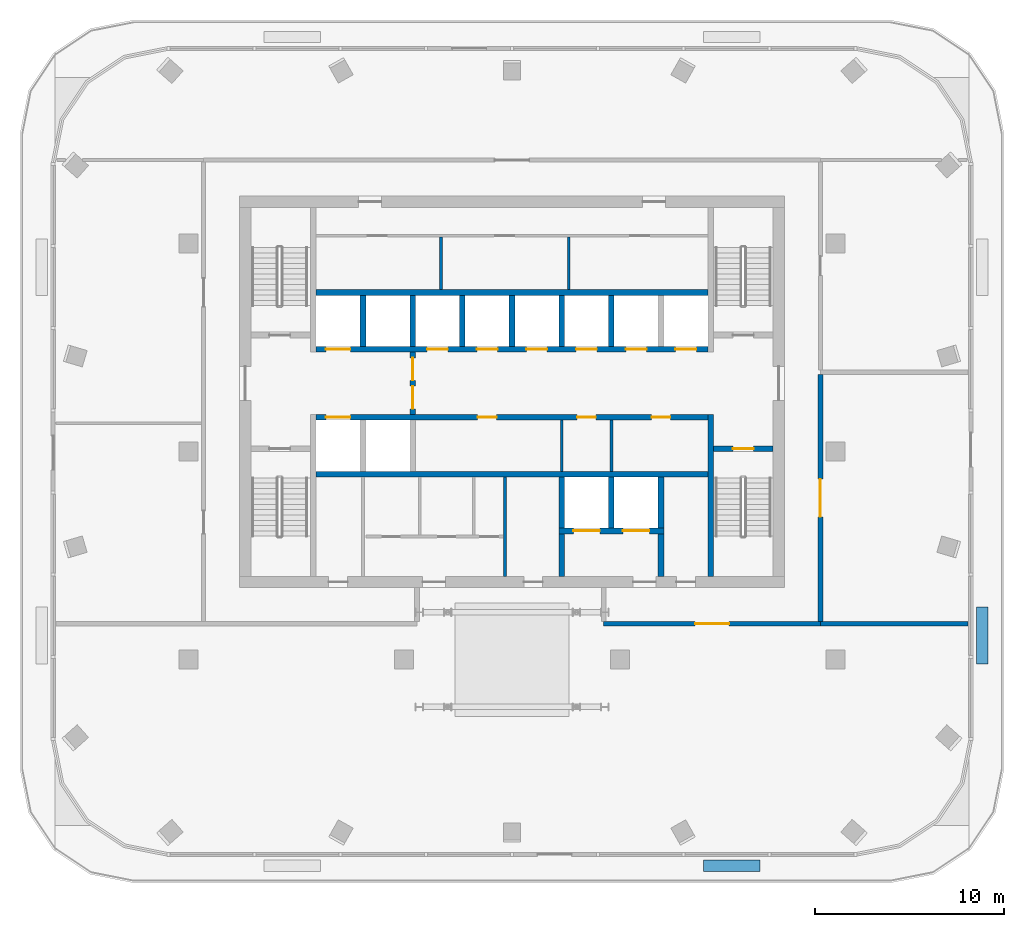
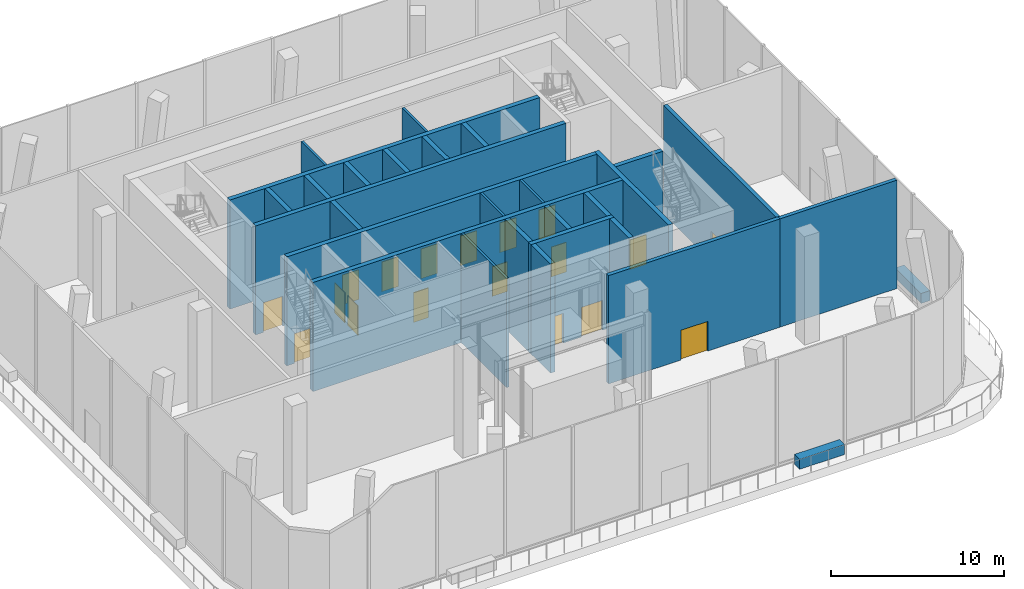
# One storey, part 7 of 13: 29 walls, 18 doors, 18 openings.
"""IFC4 building model written with IfcOpenShell, lengths in metres."""

from ifc_helpers import new_model, si_unit, direction, frame, frame_2d, origin, place, context, subcontext, project, spatial, rectangle, extrude, material, layer, layer_set, type_object, element, fill, save


model = new_model("IFC4")

# Units and contexts
model_context = context("Model", 3, precision=1e-05, world=origin(), true_north=direction((0.0, 1.0)))
body_context = subcontext(model_context, "Body", "Model", "MODEL_VIEW")
ifc_project = project(units=[si_unit("LENGTHUNIT", "METRE"), si_unit("AREAUNIT", "SQUARE_METRE"), si_unit("VOLUMEUNIT", "CUBIC_METRE"), si_unit("PLANEANGLEUNIT", "RADIAN"), si_unit("MASSUNIT", "GRAM", prefix="KILO")], contexts=[model_context])

# Site, building, storey
site_placement = place(None, origin())
site = spatial("IfcSite", under=ifc_project, at=site_placement, CompositionType="ELEMENT")
building_placement = place(site_placement, origin())
building = spatial("IfcBuilding", under=site, at=building_placement, Name="Mopane Tessera Tower", CompositionType="ELEMENT")
storey_placement = place(building_placement, frame((0.0, 0.0, 337.39990234375)))
storey = spatial("IfcBuildingStorey", under=building, at=storey_placement, Name="L74", CompositionType="ELEMENT", Elevation=337.39990234375)

# Walls
ifc_material_1 = material(Name="Fire-rated gypsum board partition")
ifc_layer_1 = layer(ifc_material_1, 0.14990234375)
ifc_layer_set_1 = layer_set([ifc_layer_1], Name="Fire-rated gypsum board partition")
wall_type_1 = type_object("IfcWallType", Name="Core room partition 150 mm", PredefinedType="PARTITIONING", material=ifc_layer_set_1)
wall_1_placement = place(storey_placement, frame((-0.375, -6.60009765625, 0.0), z_axis=(0.0, 0.0, 1.0), x_axis=(0.0, 1.0, 0.0)))
element("IfcWall", 1, at=wall_1_placement, inside=storey, type_object=wall_type_1, Name="L74 Room partition", PredefinedType="PARTITIONING", context=body_context, shape_type="SweptSolid", body=[
    extrude(rectangle(XDim=5.25, YDim=0.14990234375, at=frame_2d((2.625, 0.0))), origin(), (0.0, 0.0, 1.0), 7.7001953125),
])
for number, where, z_axis, x_axis, name in (
    (2, (-3.75, 8.550048828125, 0.0), (0.0, 0.0, 1.0), (0.0, 1.0, 0.0), "L74 Room partition"),
    (3, (3.0, 8.550048828125, 0.0), (0.0, 0.0, 1.0), (0.0, 1.0, 0.0), "L74 Room partition"),
):
    element("IfcWall", number, at=place(storey_placement, frame(where, z_axis=z_axis, x_axis=x_axis)), inside=storey, type_object=wall_type_1, Name=name, PredefinedType="PARTITIONING", context=body_context, shape_type="SweptSolid", body=[
        extrude(rectangle(XDim=2.77490234375, YDim=0.14990234375, at=frame_2d((1.387451171875, 0.0))), origin(), (0.0, 0.0, 1.0), 7.7001953125),
    ])
for number, where, z_axis, x_axis, name in (
    (4, (2.625, -1.050048828125, 0.0), (0.0, 0.0, 1.0), (0.0, 1.0, 0.0), "L74 Room partition"),
    (5, (5.25, -1.050048828125, 0.0), (0.0, 0.0, 1.0), (0.0, 1.0, 0.0), "L74 Room partition"),
):
    element("IfcWall", number, at=place(storey_placement, frame(where, z_axis=z_axis, x_axis=x_axis)), inside=storey, type_object=wall_type_1, Name=name, PredefinedType="PARTITIONING", context=body_context, shape_type="SweptSolid", body=[
        extrude(rectangle(XDim=2.699951171875, YDim=0.14990234375, at=frame_2d((1.35009765625, 0.0))), origin(), (0.0, 0.0, 1.0), 7.7001953125),
    ])
ifc_material_2 = material(Name="Concrete C60/75", Category="concrete")
ifc_layer_2 = layer(ifc_material_2, 0.300048828125)
ifc_layer_set_2 = layer_set([ifc_layer_2], Name="Concrete C60/75")
wall_type_2 = type_object("IfcWallType", Name="Core spine wall 300 mm", PredefinedType="SHEAR", material=ifc_layer_set_2)
wall_2_placement = place(storey_placement, frame((10.5, -6.60009765625, 0.0), z_axis=(0.0, 0.0, 1.0), x_axis=(0.0, 1.0, 0.0)))
element("IfcWall", 6, at=wall_2_placement, inside=storey, type_object=wall_type_2, Name="L74 Core spine wall", PredefinedType="SHEAR", context=body_context, shape_type="SweptSolid", body=[
    extrude(rectangle(XDim=8.550048828125, YDim=0.300048828125, at=frame_2d((4.27490234375, 0.0))), origin(), (0.0, 0.0, 1.0), 7.7001953125),
])

# Wall, opening, door
ifc_material_3 = material(Name="Concrete C50/60", Category="concrete")
ifc_layer_3 = layer(ifc_material_3, 0.300048828125)
ifc_layer_set_3 = layer_set([ifc_layer_3], Name="Concrete C50/60")
wall_type_3 = type_object("IfcWallType", Name="Lift and stair shaft wall 300 mm", PredefinedType="SOLIDWALL", material=ifc_layer_set_3)
wall_3_placement = place(storey_placement, frame((10.64990234375, 0.14990234375, 0.0), z_axis=(0.0, 0.0, 1.0), x_axis=(1.0, 0.0, 0.0)))
wall_3 = element("IfcWall", 7, at=wall_3_placement, inside=storey, type_object=wall_type_3, Name="L74 Stair enclosure wall", PredefinedType="SOLIDWALL", context=body_context, shape_type="SweptSolid", body=[
    extrude(rectangle(XDim=3.150146484375, YDim=0.300048828125, at=frame_2d((1.5751953125, 0.0))), origin(), (0.0, 0.0, 1.0), 7.7001953125),
])
opening_1_placement = place(wall_3_placement, frame((1.02490234375, 0.0, 0.0)))
opening_1 = element("IfcOpeningElement", 8, at=opening_1_placement, cuts=wall_3, Name="Opening SD1", PredefinedType="OPENING", context=body_context, shape_type="SweptSolid", body=[
    extrude(rectangle(XDim=1.10009765625, YDim=2.10009765625, at=frame_2d((0.550048828125, 1.050048828125))), frame((0.0, 0.162109375, 0.0), z_axis=(0.0, -1.0, 0.0), x_axis=(1.0, 0.0, 0.0)), (0.0, 0.0, 1.0), 0.323974609375),
])
ifc_material_4 = material(Name="Steel fire door", Category="steel")
door_type_1 = type_object("IfcDoorType", Name="Stair fire door 1100 x 2100", OperationType="SINGLE_SWING_LEFT", PredefinedType="DOOR", material=ifc_material_4)
door_1_placement = place(opening_1_placement, origin())
door_1 = element("IfcDoor", 9, at=door_1_placement, inside=storey, type_object=door_type_1, Name="L74 Stair door ST3", OperationType="SINGLE_SWING_RIGHT", OverallHeight=2.10009765625, OverallWidth=1.10009765625, PredefinedType="DOOR", context=body_context, shape_type="SweptSolid", body=[
    extrude(rectangle(XDim=1.10009765625, YDim=2.10009765625, at=frame_2d((0.550048828125, 1.050048828125))), frame((0.0, 0.02490234375, 0.0), z_axis=(0.0, -1.0, 0.0), x_axis=(1.0, 0.0, 0.0)), (0.0, 0.0, 1.0), 0.050048828125),
])
fill(opening_1, door_1)

# Wall
wall_4_placement = place(storey_placement, frame((-10.35009765625, -1.199951171875, 0.0), z_axis=(0.0, 0.0, 1.0), x_axis=(1.0, 0.0, 0.0)))
element("IfcWall", 10, at=wall_4_placement, inside=storey, type_object=wall_type_3, Name="L74 Lift shaft rear wall", PredefinedType="SOLIDWALL", context=body_context, shape_type="SweptSolid", body=[
    extrude(rectangle(XDim=20.7001953125, YDim=0.300048828125, at=frame_2d((10.35009765625, 0.0))), origin(), (0.0, 0.0, 1.0), 7.7001953125),
])

# Wall, openings, doors
wall_5_placement = place(storey_placement, frame((-10.35009765625, 1.800048828125, 0.0), z_axis=(0.0, 0.0, 1.0), x_axis=(1.0, 0.0, 0.0)))
wall_5 = element("IfcWall", 11, at=wall_5_placement, inside=storey, type_object=wall_type_3, Name="L74 Lift shaft front wall", PredefinedType="SOLIDWALL", context=body_context, shape_type="SweptSolid", body=[
    extrude(rectangle(XDim=20.7001953125, YDim=0.300048828125, at=frame_2d((10.35009765625, 0.0))), origin(), (0.0, 0.0, 1.0), 7.7001953125),
])
opening_2_placement = place(wall_5_placement, frame((0.512451171875, 0.0, 0.0)))
opening_2 = element("IfcOpeningElement", 12, at=opening_2_placement, cuts=wall_5, Name="Opening LD2", PredefinedType="OPENING", context=body_context, shape_type="SweptSolid", body=[
    extrude(rectangle(XDim=1.300048828125, YDim=2.10009765625, at=frame_2d((0.64990234375, 1.050048828125))), frame((0.0, 0.162109375, 0.0), z_axis=(0.0, -1.0, 0.0), x_axis=(1.0, 0.0, 0.0)), (0.0, 0.0, 1.0), 0.323974609375),
])
opening_3_placement = place(wall_5_placement, frame((8.53759765625, 0.0, 0.0)))
opening_3 = element("IfcOpeningElement", 13, at=opening_3_placement, cuts=wall_5, Name="Opening RD1", PredefinedType="OPENING", context=body_context, shape_type="SweptSolid", body=[
    extrude(rectangle(XDim=1.0, YDim=2.10009765625, at=frame_2d((0.5, 1.050048828125))), frame((0.0, 0.162109375, 0.0), z_axis=(0.0, -1.0, 0.0), x_axis=(1.0, 0.0, 0.0)), (0.0, 0.0, 1.0), 0.323974609375),
])
opening_4_placement = place(wall_5_placement, frame((13.78759765625, 0.0, 0.0)))
opening_4 = element("IfcOpeningElement", 14, at=opening_4_placement, cuts=wall_5, Name="Opening RD1", PredefinedType="OPENING", context=body_context, shape_type="SweptSolid", body=[
    extrude(rectangle(XDim=1.0, YDim=2.10009765625, at=frame_2d((0.5, 1.050048828125))), frame((0.0, 0.162109375, 0.0), z_axis=(0.0, -1.0, 0.0), x_axis=(1.0, 0.0, 0.0)), (0.0, 0.0, 1.0), 0.323974609375),
])
opening_5_placement = place(wall_5_placement, frame((17.72509765625, 0.0, 0.0)))
opening_5 = element("IfcOpeningElement", 15, at=opening_5_placement, cuts=wall_5, Name="Opening RD1", PredefinedType="OPENING", context=body_context, shape_type="SweptSolid", body=[
    extrude(rectangle(XDim=1.0, YDim=2.10009765625, at=frame_2d((0.5, 1.050048828125))), frame((0.0, 0.162109375, 0.0), z_axis=(0.0, -1.0, 0.0), x_axis=(1.0, 0.0, 0.0)), (0.0, 0.0, 1.0), 0.323974609375),
])
ifc_material_5 = material(Name="Timber door", Category="wood")
door_type_2 = type_object("IfcDoorType", Name="Core room door 1000 x 2100", OperationType="SINGLE_SWING_LEFT", PredefinedType="DOOR", material=ifc_material_5)
door_2_placement = place(opening_3_placement, origin())
door_2 = element("IfcDoor", 16, at=door_2_placement, inside=storey, type_object=door_type_2, Name="L74 Room door", OperationType="SINGLE_SWING_LEFT", OverallHeight=2.10009765625, OverallWidth=1.0, PredefinedType="DOOR", context=body_context, shape_type="SweptSolid", body=[
    extrude(rectangle(XDim=1.0, YDim=2.10009765625, at=frame_2d((0.5, 1.050048828125))), frame((0.0, 0.02490234375, 0.0), z_axis=(0.0, -1.0, 0.0), x_axis=(1.0, 0.0, 0.0)), (0.0, 0.0, 1.0), 0.050048828125),
])
fill(opening_3, door_2)
door_3_placement = place(opening_4_placement, origin())
door_3 = element("IfcDoor", 17, at=door_3_placement, inside=storey, type_object=door_type_2, Name="L74 Room door", OperationType="SINGLE_SWING_LEFT", OverallHeight=2.10009765625, OverallWidth=1.0, PredefinedType="DOOR", context=body_context, shape_type="SweptSolid", body=[
    extrude(rectangle(XDim=1.0, YDim=2.10009765625, at=frame_2d((0.5, 1.050048828125))), frame((0.0, 0.02490234375, 0.0), z_axis=(0.0, -1.0, 0.0), x_axis=(1.0, 0.0, 0.0)), (0.0, 0.0, 1.0), 0.050048828125),
])
fill(opening_4, door_3)
door_4_placement = place(opening_5_placement, origin())
door_4 = element("IfcDoor", 18, at=door_4_placement, inside=storey, type_object=door_type_2, Name="L74 Room door", OperationType="SINGLE_SWING_LEFT", OverallHeight=2.10009765625, OverallWidth=1.0, PredefinedType="DOOR", context=body_context, shape_type="SweptSolid", body=[
    extrude(rectangle(XDim=1.0, YDim=2.10009765625, at=frame_2d((0.5, 1.050048828125))), frame((0.0, 0.02490234375, 0.0), z_axis=(0.0, -1.0, 0.0), x_axis=(1.0, 0.0, 0.0)), (0.0, 0.0, 1.0), 0.050048828125),
])
fill(opening_5, door_4)
ifc_material_6 = material(Name="Stainless steel sliding door", Category="steel")
door_type_3 = type_object("IfcDoorType", Name="Fire-fighting lift landing door 1300 x 2100", OperationType="DOUBLE_DOOR_SLIDING", PredefinedType="DOOR", material=ifc_material_6)
door_5_placement = place(opening_2_placement, origin())
door_5 = element("IfcDoor", 19, at=door_5_placement, inside=storey, type_object=door_type_3, Name="L74 Lift landing door FF1", OperationType="DOUBLE_DOOR_SLIDING", OverallHeight=2.10009765625, OverallWidth=1.300048828125, PredefinedType="DOOR", context=body_context, shape_type="SweptSolid", body=[
    extrude(rectangle(XDim=1.300048828125, YDim=2.10009765625, at=frame_2d((0.64990234375, 1.050048828125))), frame((0.0, 0.02490234375, 0.0), z_axis=(0.0, -1.0, 0.0), x_axis=(1.0, 0.0, 0.0)), (0.0, 0.0, 1.0), 0.050048828125),
])
fill(opening_2, door_5)

wall_6_placement = place(storey_placement, frame((-10.35009765625, 5.39990234375, 0.0), z_axis=(0.0, 0.0, 1.0), x_axis=(1.0, 0.0, 0.0)))
wall_6 = element("IfcWall", 20, at=wall_6_placement, inside=storey, type_object=wall_type_3, Name="L74 Lift shaft front wall", PredefinedType="SOLIDWALL", context=body_context, shape_type="SweptSolid", body=[
    extrude(rectangle(XDim=20.7001953125, YDim=0.300048828125, at=frame_2d((10.35009765625, 0.0))), origin(), (0.0, 0.0, 1.0), 7.7001953125),
])
opening_6_placement = place(wall_6_placement, frame((0.512451171875, 0.0, 0.0)))
opening_6 = element("IfcOpeningElement", 21, at=opening_6_placement, cuts=wall_6, Name="Opening LD2", PredefinedType="OPENING", context=body_context, shape_type="SweptSolid", body=[
    extrude(rectangle(XDim=1.300048828125, YDim=2.10009765625, at=frame_2d((0.64990234375, 1.050048828125))), frame((0.0, 0.162109375, 0.0), z_axis=(0.0, -1.0, 0.0), x_axis=(1.0, 0.0, 0.0)), (0.0, 0.0, 1.0), 0.323974609375),
])
opening_7_placement = place(wall_6_placement, frame((5.862548828125, 0.0, 0.0)))
opening_7 = element("IfcOpeningElement", 22, at=opening_7_placement, cuts=wall_6, Name="Opening LD", PredefinedType="OPENING", context=body_context, shape_type="SweptSolid", body=[
    extrude(rectangle(XDim=1.10009765625, YDim=2.10009765625, at=frame_2d((0.550048828125, 1.050048828125))), frame((0.0, 0.162109375, 0.0), z_axis=(0.0, -1.0, 0.0), x_axis=(1.0, 0.0, 0.0)), (0.0, 0.0, 1.0), 0.323974609375),
])
opening_8_placement = place(wall_6_placement, frame((8.487548828125, 0.0, 0.0)))
opening_8 = element("IfcOpeningElement", 23, at=opening_8_placement, cuts=wall_6, Name="Opening LD", PredefinedType="OPENING", context=body_context, shape_type="SweptSolid", body=[
    extrude(rectangle(XDim=1.10009765625, YDim=2.10009765625, at=frame_2d((0.550048828125, 1.050048828125))), frame((0.0, 0.162109375, 0.0), z_axis=(0.0, -1.0, 0.0), x_axis=(1.0, 0.0, 0.0)), (0.0, 0.0, 1.0), 0.323974609375),
])
opening_9_placement = place(wall_6_placement, frame((11.112548828125, 0.0, 0.0)))
opening_9 = element("IfcOpeningElement", 24, at=opening_9_placement, cuts=wall_6, Name="Opening LD", PredefinedType="OPENING", context=body_context, shape_type="SweptSolid", body=[
    extrude(rectangle(XDim=1.10009765625, YDim=2.10009765625, at=frame_2d((0.550048828125, 1.050048828125))), frame((0.0, 0.162109375, 0.0), z_axis=(0.0, -1.0, 0.0), x_axis=(1.0, 0.0, 0.0)), (0.0, 0.0, 1.0), 0.323974609375),
])
opening_10_placement = place(wall_6_placement, frame((13.737548828125, 0.0, 0.0)))
opening_10 = element("IfcOpeningElement", 25, at=opening_10_placement, cuts=wall_6, Name="Opening LD", PredefinedType="OPENING", context=body_context, shape_type="SweptSolid", body=[
    extrude(rectangle(XDim=1.10009765625, YDim=2.10009765625, at=frame_2d((0.550048828125, 1.050048828125))), frame((0.0, 0.162109375, 0.0), z_axis=(0.0, -1.0, 0.0), x_axis=(1.0, 0.0, 0.0)), (0.0, 0.0, 1.0), 0.323974609375),
])
opening_11_placement = place(wall_6_placement, frame((16.362548828125, 0.0, 0.0)))
opening_11 = element("IfcOpeningElement", 26, at=opening_11_placement, cuts=wall_6, Name="Opening LD", PredefinedType="OPENING", context=body_context, shape_type="SweptSolid", body=[
    extrude(rectangle(XDim=1.10009765625, YDim=2.10009765625, at=frame_2d((0.550048828125, 1.050048828125))), frame((0.0, 0.162109375, 0.0), z_axis=(0.0, -1.0, 0.0), x_axis=(1.0, 0.0, 0.0)), (0.0, 0.0, 1.0), 0.323974609375),
])
opening_12_placement = place(wall_6_placement, frame((18.987548828125, 0.0, 0.0)))
opening_12 = element("IfcOpeningElement", 27, at=opening_12_placement, cuts=wall_6, Name="Opening LD", PredefinedType="OPENING", context=body_context, shape_type="SweptSolid", body=[
    extrude(rectangle(XDim=1.10009765625, YDim=2.10009765625, at=frame_2d((0.550048828125, 1.050048828125))), frame((0.0, 0.162109375, 0.0), z_axis=(0.0, -1.0, 0.0), x_axis=(1.0, 0.0, 0.0)), (0.0, 0.0, 1.0), 0.323974609375),
])
door_6_placement = place(opening_6_placement, origin())
door_6 = element("IfcDoor", 28, at=door_6_placement, inside=storey, type_object=door_type_3, Name="L74 Lift landing door FF2", OperationType="DOUBLE_DOOR_SLIDING", OverallHeight=2.10009765625, OverallWidth=1.300048828125, PredefinedType="DOOR", context=body_context, shape_type="SweptSolid", body=[
    extrude(rectangle(XDim=1.300048828125, YDim=2.10009765625, at=frame_2d((0.64990234375, 1.050048828125))), frame((0.0, 0.02490234375, 0.0), z_axis=(0.0, -1.0, 0.0), x_axis=(1.0, 0.0, 0.0)), (0.0, 0.0, 1.0), 0.050048828125),
])
fill(opening_6, door_6)
ifc_material_7 = material(Name="Stainless steel sliding door", Category="steel")
door_type_4 = type_object("IfcDoorType", Name="Lift landing door 1100 x 2100", OperationType="DOUBLE_DOOR_SLIDING", PredefinedType="DOOR", material=ifc_material_7)
door_7_placement = place(opening_7_placement, origin())
door_7 = element("IfcDoor", 29, at=door_7_placement, inside=storey, type_object=door_type_4, Name="L74 Lift landing door HR1", OperationType="DOUBLE_DOOR_SLIDING", OverallHeight=2.10009765625, OverallWidth=1.10009765625, PredefinedType="DOOR", context=body_context, shape_type="SweptSolid", body=[
    extrude(rectangle(XDim=1.10009765625, YDim=2.10009765625, at=frame_2d((0.550048828125, 1.050048828125))), frame((0.0, 0.02490234375, 0.0), z_axis=(0.0, -1.0, 0.0), x_axis=(1.0, 0.0, 0.0)), (0.0, 0.0, 1.0), 0.050048828125),
])
fill(opening_7, door_7)
door_8_placement = place(opening_8_placement, origin())
door_8 = element("IfcDoor", 30, at=door_8_placement, inside=storey, type_object=door_type_4, Name="L74 Lift landing door HR2", OperationType="DOUBLE_DOOR_SLIDING", OverallHeight=2.10009765625, OverallWidth=1.10009765625, PredefinedType="DOOR", context=body_context, shape_type="SweptSolid", body=[
    extrude(rectangle(XDim=1.10009765625, YDim=2.10009765625, at=frame_2d((0.550048828125, 1.050048828125))), frame((0.0, 0.02490234375, 0.0), z_axis=(0.0, -1.0, 0.0), x_axis=(1.0, 0.0, 0.0)), (0.0, 0.0, 1.0), 0.050048828125),
])
fill(opening_8, door_8)
door_9_placement = place(opening_9_placement, origin())
door_9 = element("IfcDoor", 31, at=door_9_placement, inside=storey, type_object=door_type_4, Name="L74 Lift landing door HR3", OperationType="DOUBLE_DOOR_SLIDING", OverallHeight=2.10009765625, OverallWidth=1.10009765625, PredefinedType="DOOR", context=body_context, shape_type="SweptSolid", body=[
    extrude(rectangle(XDim=1.10009765625, YDim=2.10009765625, at=frame_2d((0.550048828125, 1.050048828125))), frame((0.0, 0.02490234375, 0.0), z_axis=(0.0, -1.0, 0.0), x_axis=(1.0, 0.0, 0.0)), (0.0, 0.0, 1.0), 0.050048828125),
])
fill(opening_9, door_9)
door_10_placement = place(opening_10_placement, origin())
door_10 = element("IfcDoor", 32, at=door_10_placement, inside=storey, type_object=door_type_4, Name="L74 Lift landing door HR4", OperationType="DOUBLE_DOOR_SLIDING", OverallHeight=2.10009765625, OverallWidth=1.10009765625, PredefinedType="DOOR", context=body_context, shape_type="SweptSolid", body=[
    extrude(rectangle(XDim=1.10009765625, YDim=2.10009765625, at=frame_2d((0.550048828125, 1.050048828125))), frame((0.0, 0.02490234375, 0.0), z_axis=(0.0, -1.0, 0.0), x_axis=(1.0, 0.0, 0.0)), (0.0, 0.0, 1.0), 0.050048828125),
])
fill(opening_10, door_10)
door_11_placement = place(opening_11_placement, origin())
door_11 = element("IfcDoor", 33, at=door_11_placement, inside=storey, type_object=door_type_4, Name="L74 Lift landing door HR5", OperationType="DOUBLE_DOOR_SLIDING", OverallHeight=2.10009765625, OverallWidth=1.10009765625, PredefinedType="DOOR", context=body_context, shape_type="SweptSolid", body=[
    extrude(rectangle(XDim=1.10009765625, YDim=2.10009765625, at=frame_2d((0.550048828125, 1.050048828125))), frame((0.0, 0.02490234375, 0.0), z_axis=(0.0, -1.0, 0.0), x_axis=(1.0, 0.0, 0.0)), (0.0, 0.0, 1.0), 0.050048828125),
])
fill(opening_11, door_11)
door_12_placement = place(opening_12_placement, origin())
door_12 = element("IfcDoor", 34, at=door_12_placement, inside=storey, type_object=door_type_4, Name="L74 Lift landing door HR6", OperationType="DOUBLE_DOOR_SLIDING", OverallHeight=2.10009765625, OverallWidth=1.10009765625, PredefinedType="DOOR", context=body_context, shape_type="SweptSolid", body=[
    extrude(rectangle(XDim=1.10009765625, YDim=2.10009765625, at=frame_2d((0.550048828125, 1.050048828125))), frame((0.0, 0.02490234375, 0.0), z_axis=(0.0, -1.0, 0.0), x_axis=(1.0, 0.0, 0.0)), (0.0, 0.0, 1.0), 0.050048828125),
])
fill(opening_12, door_12)

# Walls
wall_7_placement = place(storey_placement, frame((-10.35009765625, 8.39990234375, 0.0), z_axis=(0.0, 0.0, 1.0), x_axis=(1.0, 0.0, 0.0)))
element("IfcWall", 35, at=wall_7_placement, inside=storey, type_object=wall_type_3, Name="L74 Lift shaft rear wall", PredefinedType="SOLIDWALL", context=body_context, shape_type="SweptSolid", body=[
    extrude(rectangle(XDim=20.7001953125, YDim=0.300048828125, at=frame_2d((10.35009765625, 0.0))), origin(), (0.0, 0.0, 1.0), 7.7001953125),
])
for number, where, z_axis, x_axis, name in (
    (36, (-7.875, 5.550048828125, 0.0), (0.0, 0.0, 1.0), (0.0, 1.0, 0.0), "L74 Lift shaft wall"),
    (37, (-5.25, 5.550048828125, 0.0), (0.0, 0.0, 1.0), (0.0, 1.0, 0.0), "L74 Lift shaft wall"),
    (38, (-2.625, 5.550048828125, 0.0), (0.0, 0.0, 1.0), (0.0, 1.0, 0.0), "L74 Lift shaft wall"),
    (39, (0.0, 5.550048828125, 0.0), (0.0, 0.0, 1.0), (0.0, 1.0, 0.0), "L74 Lift shaft wall"),
    (40, (2.625, 5.550048828125, 0.0), (0.0, 0.0, 1.0), (0.0, 1.0, 0.0), "L74 Lift shaft wall"),
    (41, (5.25, 5.550048828125, 0.0), (0.0, 0.0, 1.0), (0.0, 1.0, 0.0), "L74 Lift shaft wall"),
):
    element("IfcWall", number, at=place(storey_placement, frame(where, z_axis=z_axis, x_axis=x_axis)), inside=storey, type_object=wall_type_3, Name=name, PredefinedType="SOLIDWALL", context=body_context, shape_type="SweptSolid", body=[
        extrude(rectangle(XDim=2.699951171875, YDim=0.300048828125, at=frame_2d((1.35009765625, 0.0))), origin(), (0.0, 0.0, 1.0), 7.7001953125),
    ])

# Wall, openings, doors
wall_8_placement = place(storey_placement, frame((2.47509765625, -4.199951171875, 0.0), z_axis=(0.0, 0.0, 1.0), x_axis=(1.0, 0.0, 0.0)))
wall_8 = element("IfcWall", 42, at=wall_8_placement, inside=storey, type_object=wall_type_3, Name="L74 Lift shaft front wall", PredefinedType="SOLIDWALL", context=body_context, shape_type="SweptSolid", body=[
    extrude(rectangle(XDim=5.5498046875, YDim=0.300048828125, at=frame_2d((2.77490234375, 0.0))), origin(), (0.0, 0.0, 1.0), 7.7001953125),
])
opening_13_placement = place(wall_8_placement, frame((0.762451171875, 0.0, 0.0)))
opening_13 = element("IfcOpeningElement", 43, at=opening_13_placement, cuts=wall_8, Name="Opening LD3", PredefinedType="OPENING", context=body_context, shape_type="SweptSolid", body=[
    extrude(rectangle(XDim=1.39990234375, YDim=2.10009765625, at=frame_2d((0.699951171875, 1.050048828125))), frame((0.0, 0.162109375, 0.0), z_axis=(0.0, -1.0, 0.0), x_axis=(1.0, 0.0, 0.0)), (0.0, 0.0, 1.0), 0.323974609375),
])
opening_14_placement = place(wall_8_placement, frame((3.387451171875, 0.0, 0.0)))
opening_14 = element("IfcOpeningElement", 44, at=opening_14_placement, cuts=wall_8, Name="Opening LD3", PredefinedType="OPENING", context=body_context, shape_type="SweptSolid", body=[
    extrude(rectangle(XDim=1.39990234375, YDim=2.10009765625, at=frame_2d((0.699951171875, 1.050048828125))), frame((0.0, 0.162109375, 0.0), z_axis=(0.0, -1.0, 0.0), x_axis=(1.0, 0.0, 0.0)), (0.0, 0.0, 1.0), 0.323974609375),
])
ifc_material_8 = material(Name="Stainless steel sliding door", Category="steel")
door_type_5 = type_object("IfcDoorType", Name="Service lift landing door 1400 x 2100", OperationType="DOUBLE_DOOR_SLIDING", PredefinedType="DOOR", material=ifc_material_8)
door_13_placement = place(opening_13_placement, origin())
door_13 = element("IfcDoor", 45, at=door_13_placement, inside=storey, type_object=door_type_5, Name="L74 Lift landing door SV1", OperationType="DOUBLE_DOOR_SLIDING", OverallHeight=2.10009765625, OverallWidth=1.39990234375, PredefinedType="DOOR", context=body_context, shape_type="SweptSolid", body=[
    extrude(rectangle(XDim=1.39990234375, YDim=2.10009765625, at=frame_2d((0.699951171875, 1.050048828125))), frame((0.0, 0.02490234375, 0.0), z_axis=(0.0, -1.0, 0.0), x_axis=(1.0, 0.0, 0.0)), (0.0, 0.0, 1.0), 0.050048828125),
])
fill(opening_13, door_13)
door_14_placement = place(opening_14_placement, origin())
door_14 = element("IfcDoor", 46, at=door_14_placement, inside=storey, type_object=door_type_5, Name="L74 Lift landing door SV2", OperationType="DOUBLE_DOOR_SLIDING", OverallHeight=2.10009765625, OverallWidth=1.39990234375, PredefinedType="DOOR", context=body_context, shape_type="SweptSolid", body=[
    extrude(rectangle(XDim=1.39990234375, YDim=2.10009765625, at=frame_2d((0.699951171875, 1.050048828125))), frame((0.0, 0.02490234375, 0.0), z_axis=(0.0, -1.0, 0.0), x_axis=(1.0, 0.0, 0.0)), (0.0, 0.0, 1.0), 0.050048828125),
])
fill(opening_14, door_14)

# Walls
for number, where, z_axis, x_axis, name in (
    (47, (2.625, -4.050048828125, 0.0), (0.0, 0.0, 1.0), (0.0, 1.0, 0.0), "L74 Lift shaft wall"),
    (48, (5.25, -4.050048828125, 0.0), (0.0, 0.0, 1.0), (0.0, 1.0, 0.0), "L74 Lift shaft wall"),
    (49, (7.875, -4.050048828125, 0.0), (0.0, 0.0, 1.0), (0.0, 1.0, 0.0), "L74 Lift shaft wall"),
):
    element("IfcWall", number, at=place(storey_placement, frame(where, z_axis=z_axis, x_axis=x_axis)), inside=storey, type_object=wall_type_3, Name=name, PredefinedType="SOLIDWALL", context=body_context, shape_type="SweptSolid", body=[
        extrude(rectangle(XDim=2.699951171875, YDim=0.300048828125, at=frame_2d((1.35009765625, 0.0))), origin(), (0.0, 0.0, 1.0), 7.7001953125),
    ])

# Wall, openings, doors
ifc_material_9 = material(Name="Concrete C50/60", Category="concrete")
ifc_layer_4 = layer(ifc_material_9, 0.300048828125)
ifc_layer_set_4 = layer_set([ifc_layer_4], Name="Concrete C50/60")
wall_type_4 = type_object("IfcWallType", Name="Lobby and refuge room wall 300 mm", PredefinedType="SOLIDWALL", material=ifc_layer_set_4)
wall_9_placement = place(storey_placement, frame((-5.25, 1.949951171875, 0.0), z_axis=(0.0, 0.0, 1.0), x_axis=(0.0, 1.0, 0.0)))
wall_9 = element("IfcWall", 50, at=wall_9_placement, inside=storey, type_object=wall_type_4, Name="L74 Fire-fighting lobby wall", PredefinedType="SOLIDWALL", context=body_context, shape_type="SweptSolid", body=[
    extrude(rectangle(XDim=3.300048828125, YDim=0.300048828125, at=frame_2d((1.64990234375, 0.0))), origin(), (0.0, 0.0, 1.0), 7.7001953125),
])
opening_15_placement = place(wall_9_placement, frame((0.300048828125, 0.0, 0.0)))
opening_15 = element("IfcOpeningElement", 51, at=opening_15_placement, cuts=wall_9, Name="Opening SD3", PredefinedType="OPENING", context=body_context, shape_type="SweptSolid", body=[
    extrude(rectangle(XDim=1.199951171875, YDim=2.10009765625, at=frame_2d((0.60009765625, 1.050048828125))), frame((0.0, 0.162109375, 0.0), z_axis=(0.0, -1.0, 0.0), x_axis=(1.0, 0.0, 0.0)), (0.0, 0.0, 1.0), 0.323974609375),
])
opening_16_placement = place(wall_9_placement, frame((1.800048828125, 0.0, 0.0)))
opening_16 = element("IfcOpeningElement", 52, at=opening_16_placement, cuts=wall_9, Name="Opening SD3", PredefinedType="OPENING", context=body_context, shape_type="SweptSolid", body=[
    extrude(rectangle(XDim=1.199951171875, YDim=2.10009765625, at=frame_2d((0.60009765625, 1.050048828125))), frame((0.0, 0.162109375, 0.0), z_axis=(0.0, -1.0, 0.0), x_axis=(1.0, 0.0, 0.0)), (0.0, 0.0, 1.0), 0.323974609375),
])
ifc_material_10 = material(Name="Steel fire door", Category="steel")
door_type_6 = type_object("IfcDoorType", Name="Lobby fire door 1200 x 2100", OperationType="SINGLE_SWING_LEFT", PredefinedType="DOOR", material=ifc_material_10)
door_15_placement = place(opening_15_placement, origin())
door_15 = element("IfcDoor", 53, at=door_15_placement, inside=storey, type_object=door_type_6, Name="L74 Fire-fighting lobby door", OperationType="SINGLE_SWING_LEFT", OverallHeight=2.10009765625, OverallWidth=1.199951171875, PredefinedType="DOOR", context=body_context, shape_type="SweptSolid", body=[
    extrude(rectangle(XDim=1.199951171875, YDim=2.10009765625, at=frame_2d((0.60009765625, 1.050048828125))), frame((0.0, 0.02490234375, 0.0), z_axis=(0.0, -1.0, 0.0), x_axis=(1.0, 0.0, 0.0)), (0.0, 0.0, 1.0), 0.050048828125),
])
fill(opening_15, door_15)
door_16_placement = place(opening_16_placement, origin())
door_16 = element("IfcDoor", 54, at=door_16_placement, inside=storey, type_object=door_type_6, Name="L74 Fire-fighting lobby door", OperationType="SINGLE_SWING_RIGHT", OverallHeight=2.10009765625, OverallWidth=1.199951171875, PredefinedType="DOOR", context=body_context, shape_type="SweptSolid", body=[
    extrude(rectangle(XDim=1.199951171875, YDim=2.10009765625, at=frame_2d((0.60009765625, 1.050048828125))), frame((0.0, 0.02490234375, 0.0), z_axis=(0.0, -1.0, 0.0), x_axis=(1.0, 0.0, 0.0)), (0.0, 0.0, 1.0), 0.050048828125),
])
fill(opening_16, door_16)

# Walls
for number, where, z_axis, x_axis, name in (
    (55, (2.625, -6.60009765625, 0.0), (0.0, 0.0, 1.0), (0.0, 1.0, 0.0), "L74 Service lobby wall"),
    (56, (7.875, -6.60009765625, 0.0), (0.0, 0.0, 1.0), (0.0, 1.0, 0.0), "L74 Service lobby wall"),
):
    element("IfcWall", number, at=place(storey_placement, frame(where, z_axis=z_axis, x_axis=x_axis)), inside=storey, type_object=wall_type_4, Name=name, PredefinedType="SOLIDWALL", context=body_context, shape_type="SweptSolid", body=[
        extrude(rectangle(XDim=2.25, YDim=0.300048828125, at=frame_2d((1.125, 0.0))), origin(), (0.0, 0.0, 1.0), 7.7001953125),
    ])
ifc_material_11 = material(Name="Reinforced concrete C32/40 with waterproofing", Category="concrete")
ifc_layer_5 = layer(ifc_material_11, 0.60009765625)
ifc_layer_set_5 = layer_set([ifc_layer_5], Name="Reinforced concrete C32/40 with waterproofing")
wall_type_5 = type_object("IfcWallType", Name="Planter trough 3000 x 600", PredefinedType="STANDARD", material=ifc_layer_set_5)
for number, where, z_axis, x_axis, name in (
    (57, (10.115966796875, -21.89990234375, 0.0), (0.0, 0.0, 1.0), (1.0, 0.0, 0.0), "e:sp:L74:S1"),
    (58, (24.85009765625, -11.22802734375, 0.0), (0.0, 0.0, 1.0), (0.0, 1.0, 0.0), "e:sp:L74:E0"),
):
    element("IfcWall", number, at=place(storey_placement, frame(where, z_axis=z_axis, x_axis=x_axis)), inside=storey, type_object=wall_type_5, Name=name, PredefinedType="STANDARD", context=body_context, shape_type="SweptSolid", body=[
        extrude(rectangle(XDim=3.0, YDim=0.60009765625, at=frame_2d((1.5, 0.0))), origin(), (0.0, 0.0, 1.0), 0.7001953125),
    ])

# Wall, opening, door
ifc_material_12 = material(Name="Plastered concrete blockwork C20/25", Category="masonry")
ifc_layer_6 = layer(ifc_material_12, 0.25)
ifc_layer_set_6 = layer_set([ifc_layer_6], Name="Plastered concrete blockwork C20/25")
wall_type_6 = type_object("IfcWallType", Name="Plastered blockwork wall 250, rated EI 120", PredefinedType="PARTITIONING", material=ifc_layer_set_6)
wall_10_placement = place(storey_placement, frame((4.844970703125, -9.10009765625, 0.0), z_axis=(0.0, 0.0, 1.0), x_axis=(1.0, 0.0, 0.0)))
wall_10 = element("IfcWall", 59, at=wall_10_placement, inside=storey, type_object=wall_type_6, Name="Partition L74:001", PredefinedType="PARTITIONING", context=body_context, shape_type="SweptSolid", body=[
    extrude(rectangle(XDim=11.455078125, YDim=0.25, at=frame_2d((5.7275390625, 0.0))), origin(), (0.0, 0.0, 1.0), 7.650146484375),
])
opening_17_placement = place(wall_10_placement, frame((4.827392578125, 0.0, 0.0)))
opening_17 = element("IfcOpeningElement", 60, at=opening_17_placement, cuts=wall_10, Name="Opening L74-05", PredefinedType="OPENING", context=body_context, shape_type="SweptSolid", body=[
    extrude(rectangle(XDim=1.800048828125, YDim=2.10009765625, at=frame_2d((0.89990234375, 1.050048828125))), frame((0.0, 0.136962890625, 0.0), z_axis=(0.0, -1.0, 0.0), x_axis=(1.0, 0.0, 0.0)), (0.0, 0.0, 1.0), 0.27392578125),
])
ifc_material_13 = material(Name="Timber veneered steel-framed fire door", Category="steel")
door_type_7 = type_object("IfcDoorType", Name="Fire door pair FD120 1800 x 2100", OperationType="DOUBLE_DOOR_SINGLE_SWING", PredefinedType="DOOR", material=ifc_material_13)
door_17_placement = place(opening_17_placement, origin())
door_17 = element("IfcDoor", 61, at=door_17_placement, inside=storey, type_object=door_type_7, Name="Door L74-05", ObjectType="D20B", OperationType="DOUBLE_DOOR_SINGLE_SWING", OverallHeight=2.10009765625, OverallWidth=1.800048828125, PredefinedType="DOOR", context=body_context, shape_type="SweptSolid", body=[
    extrude(rectangle(XDim=1.800048828125, YDim=2.10009765625, at=frame_2d((0.89990234375, 1.050048828125))), frame((0.0, 0.02490234375, 0.0), z_axis=(0.0, -1.0, 0.0), x_axis=(1.0, 0.0, 0.0)), (0.0, 0.0, 1.0), 0.050048828125),
])
fill(opening_17, door_17)

# Wall
wall_11_placement = place(storey_placement, frame((16.300048828125, -9.10009765625, 0.0), z_axis=(0.0, 0.0, 1.0), x_axis=(1.0, 0.0, 0.0)))
element("IfcWall", 62, at=wall_11_placement, inside=storey, type_object=wall_type_6, Name="Partition L74:002", PredefinedType="PARTITIONING", context=body_context, shape_type="SweptSolid", body=[
    extrude(rectangle(XDim=7.800048828125, YDim=0.25, at=frame_2d((3.89990234375, 0.0))), origin(), (0.0, 0.0, 1.0), 7.650146484375),
])

# Wall, opening, door
wall_12_placement = place(storey_placement, frame((16.300048828125, -8.97509765625, 0.0), z_axis=(0.0, 0.0, 1.0), x_axis=(0.0, 1.0, 0.0)))
wall_12 = element("IfcWall", 63, at=wall_12_placement, inside=storey, type_object=wall_type_6, Name="Partition L74:014", PredefinedType="PARTITIONING", context=body_context, shape_type="SweptSolid", body=[
    extrude(rectangle(XDim=13.03515625, YDim=0.25, at=frame_2d((6.517578125, 0.0))), origin(), (0.0, 0.0, 1.0), 7.650146484375),
])
opening_18_placement = place(wall_12_placement, frame((5.517578125, 0.0, 0.0)))
opening_18 = element("IfcOpeningElement", 64, at=opening_18_placement, cuts=wall_12, Name="Opening L74-03", PredefinedType="OPENING", context=body_context, shape_type="SweptSolid", body=[
    extrude(rectangle(XDim=2.0, YDim=2.10009765625, at=frame_2d((1.0, 1.050048828125))), frame((0.0, 0.136962890625, 0.0), z_axis=(0.0, -1.0, 0.0), x_axis=(1.0, 0.0, 0.0)), (0.0, 0.0, 1.0), 0.27392578125),
])
ifc_material_14 = material(Name="Timber veneered steel-framed fire door", Category="steel")
door_type_8 = type_object("IfcDoorType", Name="Fire door pair FD120 2000 x 2100", OperationType="DOUBLE_DOOR_SINGLE_SWING", PredefinedType="DOOR", material=ifc_material_14)
door_18_placement = place(opening_18_placement, origin())
door_18 = element("IfcDoor", 65, at=door_18_placement, inside=storey, type_object=door_type_8, Name="Door L74-03", ObjectType="D25B", OperationType="DOUBLE_DOOR_SINGLE_SWING", OverallHeight=2.10009765625, OverallWidth=2.0, PredefinedType="DOOR", context=body_context, shape_type="SweptSolid", body=[
    extrude(rectangle(XDim=2.0, YDim=2.10009765625, at=frame_2d((1.0, 1.050048828125))), frame((0.0, 0.02490234375, 0.0), z_axis=(0.0, -1.0, 0.0), x_axis=(1.0, 0.0, 0.0)), (0.0, 0.0, 1.0), 0.050048828125),
])
fill(opening_18, door_18)

save(model, "model.ifc")
